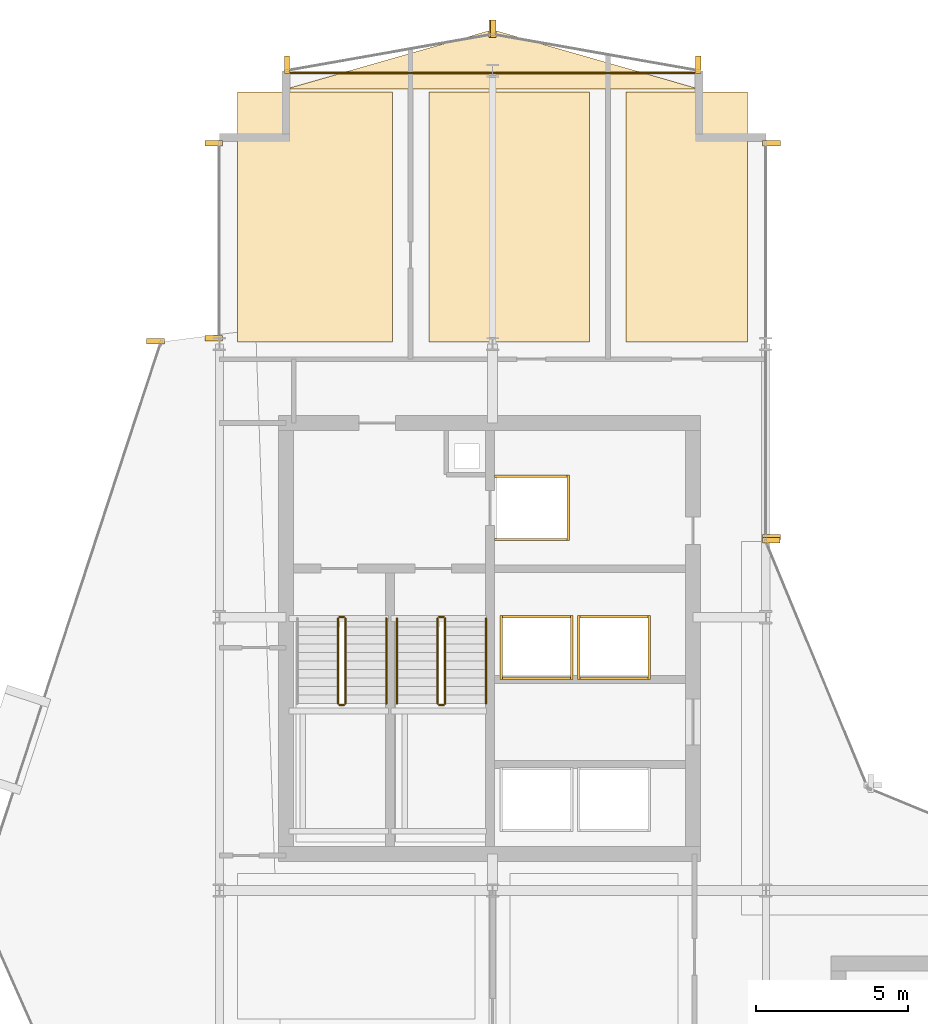
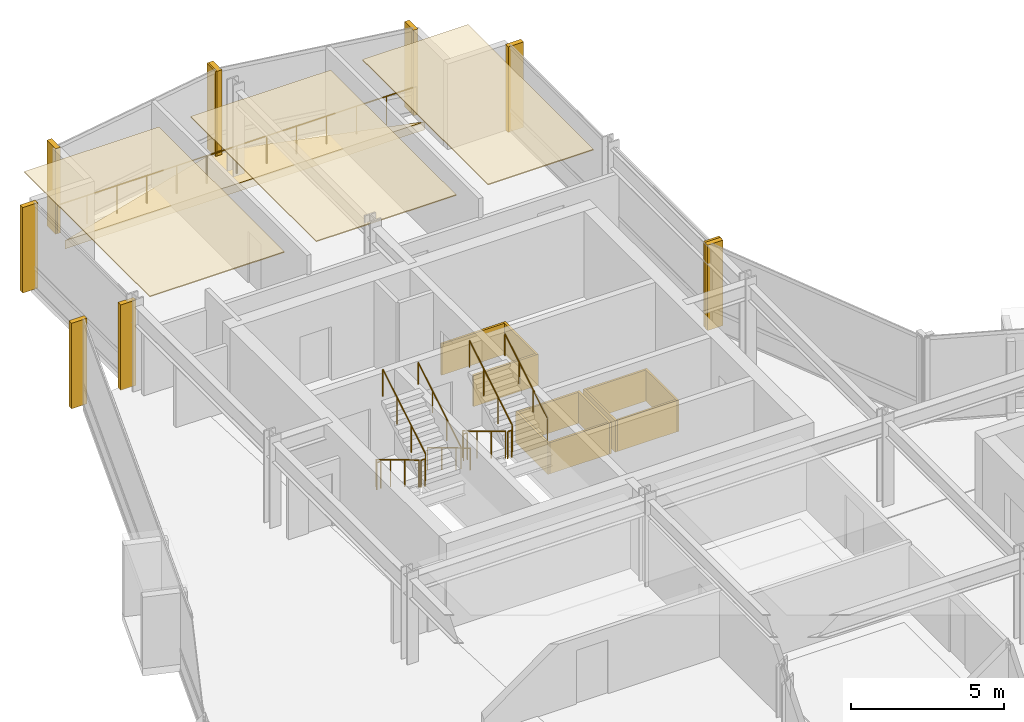
# One storey, part 29 of 29: 25 coverings, 12 railings.
"""IFC4 building model written with IfcOpenShell, lengths in metres."""

import ifcopenshell
import ifcopenshell.guid

model = None  # the IFC model being written
_history = None  # IfcOwnerHistory: only IFC2X3 demands one
_inside = {}  # id of a spatial element -> (the spatial element, [elements in it])
_under = {}  # id of a project, library or spatial element -> (it, [spatial elements below it])
_declared = {}  # id of a project -> (the project, [libraries it declares])
_typed = {}  # id of a type object -> (the type object, [elements of that type])
_made_of = {}  # id of a material, layer set ... -> (it, [elements and type objects made of it])


def new_model(schema):
    """Start an empty IFC model of exactly this schema.

    Asked for "IFC4X3", IfcOpenShell would pick the latest addendum, in which some entities
    have other attributes; the version numbers below select the first issue.
    IFC2X3 requires an IfcOwnerHistory on every rooted entity: one is made here for all.
    """
    global model, _history
    if schema == "IFC4X3":
        model = ifcopenshell.file(schema_version=(4, 3, 0, 0))
    else:
        model = ifcopenshell.file(schema=schema)
    _inside.clear()
    _under.clear()
    _declared.clear()
    _typed.clear()
    _made_of.clear()
    _history = None
    if model.schema == "IFC2X3":
        org = make("IfcOrganization", Name="unknown")
        user = make(
            "IfcPersonAndOrganization",
            ThePerson=make("IfcPerson", FamilyName="unknown"),
            TheOrganization=org,
        )
        app = make(
            "IfcApplication",
            ApplicationDeveloper=org,
            Version="unknown",
            ApplicationFullName="unknown",
            ApplicationIdentifier="unknown",
        )
        _history = make(
            "IfcOwnerHistory",
            OwningUser=user,
            OwningApplication=app,
            ChangeAction="ADDED",
            CreationDate=0,
        )
    return model


def make(cls, **values):
    """One entity of the class cls with the attributes given. An attribute that is None is left unset."""
    return model.create_entity(
        cls, **{name: value for name, value in values.items() if value is not None}
    )


def rooted(cls, **values):
    """An entity with a GlobalId (a new one), such as an element, a storey or a relation."""
    return make(cls, GlobalId=ifcopenshell.guid.new(), OwnerHistory=_history, **values)


def si_unit(unit_type, name, prefix=None):
    """IfcSIUnit, for example si_unit("LENGTHUNIT", "METRE", prefix="MILLI")."""
    return make("IfcSIUnit", UnitType=unit_type, Prefix=prefix, Name=name)


def assignment(units):
    """IfcUnitAssignment: the units of a project."""
    return None if units is None else make("IfcUnitAssignment", Units=units)


def point(xyz):
    """IfcCartesianPoint."""
    return None if xyz is None else make("IfcCartesianPoint", Coordinates=xyz)


def direction(xyz):
    """IfcDirection."""
    return None if xyz is None else make("IfcDirection", DirectionRatios=xyz)


def frame(location, z_axis=None, x_axis=None):
    """IfcAxis2Placement3D, a coordinate frame: its origin and axes. An axis left out is left unset."""
    return make(
        "IfcAxis2Placement3D",
        Location=point(location),
        Axis=direction(z_axis),
        RefDirection=direction(x_axis),
    )


def frame_2d(location, x_axis=None):
    """IfcAxis2Placement2D, a coordinate frame in the plane: its origin and x axis."""
    return make(
        "IfcAxis2Placement2D", Location=point(location), RefDirection=direction(x_axis)
    )


def origin():
    """The frame at (0, 0, 0) with its axes left unset."""
    return frame((0.0, 0.0, 0.0))


def origin_2d():
    """The frame at (0, 0) in the plane with its x axis left unset."""
    return frame_2d((0.0, 0.0))


def place(relative_to, where):
    """IfcLocalPlacement: puts the frame where relative to a parent placement (None: the world)."""
    return make(
        "IfcLocalPlacement", PlacementRelTo=relative_to, RelativePlacement=where
    )


def context(
    kind, dimensions, precision=None, world=None, true_north=None, identifier=None
):
    """IfcGeometricRepresentationContext, for example the 3D "Model" context."""
    return make(
        "IfcGeometricRepresentationContext",
        ContextIdentifier=identifier,
        ContextType=kind,
        CoordinateSpaceDimension=dimensions,
        Precision=precision,
        WorldCoordinateSystem=world,
        TrueNorth=true_north,
    )


def subcontext(parent, identifier, kind, view, scale=None):
    """IfcGeometricRepresentationSubContext, for example "Body" below "Model"."""
    return make(
        "IfcGeometricRepresentationSubContext",
        ContextIdentifier=identifier,
        ContextType=kind,
        ParentContext=parent,
        TargetScale=scale,
        TargetView=view,
    )


def project(units=None, contexts=None):
    """IfcProject with its units and contexts."""
    return rooted(
        "IfcProject",
        Name="project",
        RepresentationContexts=contexts,
        UnitsInContext=assignment(units),
    )


def spatial(cls, under=None, at=None, **own):
    """A site, building, storey or space (cls), placed at a placement, below another one or the project."""
    s = rooted(cls, ObjectPlacement=at, **own)
    if under is not None:
        _under.setdefault(under.id(), (under, []))[1].append(s)
    return s


def polyline(points):
    """IfcPolyline through the points."""
    return make("IfcPolyline", Points=[point(p) for p in points])


def profile(cls, at=None, kind="AREA", **sizes):
    """A parametric profile (cls). Its sizes go by their IFC names, for example OverallWidth=200.0."""
    return make(cls, ProfileType=kind, Position=at, **sizes)


def rectangle(**sizes):
    """IfcRectangleProfileDef."""
    return profile("IfcRectangleProfileDef", **sizes)


def circle(**sizes):
    """IfcCircleProfileDef."""
    return profile("IfcCircleProfileDef", **sizes)


def outline(outer, holes=None, kind="AREA"):
    """IfcArbitraryClosedProfileDef: a profile drawn as a closed curve; with holes, ...WithVoids."""
    if holes is None:
        return make("IfcArbitraryClosedProfileDef", ProfileType=kind, OuterCurve=outer)
    return make(
        "IfcArbitraryProfileDefWithVoids",
        ProfileType=kind,
        OuterCurve=outer,
        InnerCurves=holes,
    )


def extrude(swept, where, along, depth):
    """IfcExtrudedAreaSolid: the profile swept, set in the frame where, extruded along a direction by depth."""
    return make(
        "IfcExtrudedAreaSolid",
        SweptArea=swept,
        Position=where,
        ExtrudedDirection=direction(along),
        Depth=depth,
    )


def shape(context_of_items, identifier, shape_type, items):
    """IfcShapeRepresentation: the items that make up one representation, for example the "Body"."""
    return make(
        "IfcShapeRepresentation",
        ContextOfItems=context_of_items,
        RepresentationIdentifier=identifier,
        RepresentationType=shape_type,
        Items=items,
    )


def material(Name=None, Category=None):
    """IfcMaterial."""
    return make("IfcMaterial", Name=Name, Category=Category)


def layer(
    of_material, thickness, ventilated=None, Name=None, Category=None, Priority=None
):
    """IfcMaterialLayer: one layer of a wall or slab, of a material (None: an air gap)."""
    return make(
        "IfcMaterialLayer",
        Material=of_material,
        LayerThickness=thickness,
        IsVentilated=ventilated,
        Name=Name,
        Category=Category,
        Priority=Priority,
    )


def layer_set(layers, Name=None):
    """IfcMaterialLayerSet."""
    return make("IfcMaterialLayerSet", MaterialLayers=layers, LayerSetName=Name)


def made_of(thing, what):
    """Note that an element or type object is made of a material, layer set ...; save() writes the relation."""
    if what is not None:
        _made_of.setdefault(what.id(), (what, []))[1].append(thing)
    return thing


def type_object(cls, material=None, **own):
    """A type object (cls), such as IfcWallType, which elements share."""
    return made_of(rooted(cls, **own), material)


def element(
    cls,
    number,
    at=None,
    inside=None,
    cuts=None,
    type_object=None,
    material=None,
    context=None,
    identifier="Body",
    shape_type=None,
    held_by="IfcProductDefinitionShape",
    body=None,
    shapes=None,
    **own,
):
    """One element of the class cls, such as IfcWall. Its Tag is "e" and its number.

    at: its placement. inside: the storey or other place that contains it. cuts: it is an
    opening in that element (IfcRelVoidsElement). A single representation is given by context,
    identifier, shape_type and body (its items); several are given by shapes. held_by: the class
    of the entity that holds the representations. save() writes the other relations.
    """
    e = rooted(cls, Tag="e%d" % number, ObjectPlacement=at, **own)
    if body is not None:
        shapes = [shape(context, identifier, shape_type, body)]
    if shapes is not None:
        e.Representation = make(held_by, Representations=shapes)
    if inside is not None:
        _inside.setdefault(inside.id(), (inside, []))[1].append(e)
    if cuts is not None:
        rooted(
            "IfcRelVoidsElement", RelatingBuildingElement=cuts, RelatedOpeningElement=e
        )
    if type_object is not None:
        _typed.setdefault(type_object.id(), (type_object, []))[1].append(e)
    return made_of(e, material)


def aggregate(whole, parts):
    """IfcRelAggregates: a whole, such as a stair, and the parts it consists of."""
    return rooted("IfcRelAggregates", RelatingObject=whole, RelatedObjects=parts)


def save(model, path):
    """Write the relations noted so far, then the file.

    IfcRelAggregates (storeys below a building ...), IfcRelContainedInSpatialStructure (elements
    in a storey), IfcRelDefinesByType, IfcRelAssociatesMaterial and IfcRelDeclares: one each for
    every whole, place, type object, material and project.
    """
    for whole, parts in _under.values():
        aggregate(whole, parts)
    for where, things in _inside.values():
        rooted(
            "IfcRelContainedInSpatialStructure",
            RelatedElements=things,
            RelatingStructure=where,
        )
    for kind, things in _typed.values():
        rooted("IfcRelDefinesByType", RelatedObjects=things, RelatingType=kind)
    for what, things in _made_of.values():
        rooted("IfcRelAssociatesMaterial", RelatedObjects=things, RelatingMaterial=what)
    for by, libraries in _declared.values():
        rooted("IfcRelDeclares", RelatingContext=by, RelatedDefinitions=libraries)
    model.write(path)


model = new_model("IFC4")

# Units and contexts
model_context = context("Model", 3, precision=1e-05, world=origin(), true_north=direction((0.0, 1.0)))
body_context = subcontext(model_context, "Body", "Model", "MODEL_VIEW")
ifc_project = project(units=[si_unit("LENGTHUNIT", "METRE"), si_unit("AREAUNIT", "SQUARE_METRE"), si_unit("VOLUMEUNIT", "CUBIC_METRE"), si_unit("PLANEANGLEUNIT", "RADIAN"), si_unit("MASSUNIT", "GRAM", prefix="KILO")], contexts=[model_context])

# Site, building, storey
site_placement = place(None, origin())
site = spatial("IfcSite", under=ifc_project, at=site_placement, CompositionType="ELEMENT")
building_placement = place(site_placement, origin())
building = spatial("IfcBuilding", under=site, at=building_placement, Name="Solvaryn Broadcast Tower", CompositionType="ELEMENT")
storey_placement = place(building_placement, frame((0.0, 0.0, 161.800048828125)))
storey = spatial("IfcBuildingStorey", under=building, at=storey_placement, Name="L40", CompositionType="ELEMENT", Elevation=161.800048828125)

# Coverings
ifc_material_1 = material(Name="Micro-Perforated Acoustic Gypsum Ceiling", Category="concrete")
ifc_layer_1 = layer(ifc_material_1, 0.0400390625)
ifc_layer_set_1 = layer_set([ifc_layer_1], Name="CV-CEIL-ACOUSTIC")
covering_type_1 = type_object("IfcCoveringType", Name="CV-CEIL-ACOUSTIC", PredefinedType="CEILING", material=ifc_layer_set_1)
covering_1_placement = place(storey_placement, frame((0.0, 0.0, 3.3798828125)))
element("IfcCovering", 1, at=covering_1_placement, inside=storey, type_object=covering_type_1, Name="L40 Room Acoustic Ceiling 8", PredefinedType="CEILING", context=body_context, shape_type="SweptSolid", body=[
    extrude(outline(polyline([(9.60009765625, 45.070068359375), (14.699951171875, 45.070068359375), (14.699951171875, 53.300048828125), (9.60009765625, 53.300048828125), (9.60009765625, 45.070068359375)])), origin(), (0.0, 0.0, 1.0), 0.0400390625),
])
covering_2_placement = place(storey_placement, frame((0.0, 0.0, 3.3798828125)))
element("IfcCovering", 2, at=covering_2_placement, inside=storey, type_object=covering_type_1, Name="L40 Room Acoustic Ceiling 9", PredefinedType="CEILING", context=body_context, shape_type="SweptSolid", body=[
    extrude(outline(polyline([(15.89990234375, 45.070068359375), (21.199951171875, 45.070068359375), (21.199951171875, 53.300048828125), (15.89990234375, 53.300048828125), (15.89990234375, 45.070068359375)])), origin(), (0.0, 0.0, 1.0), 0.0400390625),
])
covering_3_placement = place(storey_placement, frame((0.0, 0.0, 3.3798828125)))
element("IfcCovering", 3, at=covering_3_placement, inside=storey, type_object=covering_type_1, Name="L40 Room Acoustic Ceiling 10", PredefinedType="CEILING", context=body_context, shape_type="SweptSolid", body=[
    extrude(outline(polyline([(22.39990234375, 45.070068359375), (26.39990234375, 45.070068359375), (26.39990234375, 53.300048828125), (22.39990234375, 53.300048828125), (22.39990234375, 45.070068359375)])), origin(), (0.0, 0.0, 1.0), 0.0400390625),
])
ifc_material_2 = material(Name="Fire-Rated Gypsum Shaftwall Liner", Category="concrete")
ifc_layer_2 = layer(ifc_material_2, 0.080078125)
ifc_layer_set_2 = layer_set([ifc_layer_2], Name="CV-SHAFT-LINER")
covering_type_2 = type_object("IfcCoveringType", Name="CV-SHAFT-LINER", PredefinedType="CLADDING", material=ifc_layer_set_2)
for number, where, z_axis, x_axis, name in (
    (4, (19.300048828125, 40.639892578125, 0.0), (0.0, 0.0, 1.0), (1.0, 0.0, 0.0), "L40 FL1 Hoistway Shaft Liner North"),
    (5, (19.300048828125, 38.56005859375, 0.0), (0.0, 0.0, 1.0), (1.0, 0.0, 0.0), "L40 FL1 Hoistway Shaft Liner South"),
):
    element("IfcCovering", number, at=place(storey_placement, frame(where, z_axis=z_axis, x_axis=x_axis)), inside=storey, type_object=covering_type_2, Name=name, PredefinedType="CLADDING", context=body_context, shape_type="SweptSolid", body=[
        extrude(rectangle(XDim=2.4599609375, YDim=0.080078125, at=origin_2d()), origin(), (0.0, 0.0, 1.0), 1.25),
    ])
covering_4_placement = place(storey_placement, frame((20.489990234375, 39.60009765625, 0.0), z_axis=(0.0, 0.0, 1.0), x_axis=(1.0, 0.0, 0.0)))
element("IfcCovering", 6, at=covering_4_placement, inside=storey, type_object=covering_type_2, Name="L40 FL1 Hoistway Shaft Liner East", PredefinedType="CLADDING", context=body_context, shape_type="SweptSolid", body=[
    extrude(rectangle(XDim=0.080078125, YDim=2.159912109375, at=origin_2d()), origin(), (0.0, 0.0, 1.0), 1.25),
])
for number, where, z_axis, x_axis, name in (
    (7, (19.449951171875, 36.014892578125, 0.0), (0.0, 0.0, 1.0), (1.0, 0.0, 0.0), "L40 PH3 Hoistway Shaft Liner North"),
    (8, (19.449951171875, 33.985107421875, 0.0), (0.0, 0.0, 1.0), (1.0, 0.0, 0.0), "L40 PH3 Hoistway Shaft Liner South"),
):
    element("IfcCovering", number, at=place(storey_placement, frame(where, z_axis=z_axis, x_axis=x_axis)), inside=storey, type_object=covering_type_2, Name=name, PredefinedType="CLADDING", context=body_context, shape_type="SweptSolid", body=[
        extrude(rectangle(XDim=2.409912109375, YDim=0.080078125, at=origin_2d()), origin(), (0.0, 0.0, 1.0), 1.25),
    ])
for number, where, z_axis, x_axis, name in (
    (9, (20.614990234375, 35.0, 0.0), (0.0, 0.0, 1.0), (1.0, 0.0, 0.0), "L40 PH3 Hoistway Shaft Liner East"),
    (10, (18.284912109375, 35.0, 0.0), (0.0, 0.0, 1.0), (1.0, 0.0, 0.0), "L40 PH3 Hoistway Shaft Liner West"),
):
    element("IfcCovering", number, at=place(storey_placement, frame(where, z_axis=z_axis, x_axis=x_axis)), inside=storey, type_object=covering_type_2, Name=name, PredefinedType="CLADDING", context=body_context, shape_type="SweptSolid", body=[
        extrude(rectangle(XDim=0.080078125, YDim=2.110107421875, at=origin_2d()), origin(), (0.0, 0.0, 1.0), 1.25),
    ])
for number, where, z_axis, x_axis, name in (
    (11, (22.0, 36.014892578125, 0.0), (0.0, 0.0, 1.0), (1.0, 0.0, 0.0), "L40 PH4 Hoistway Shaft Liner North"),
    (12, (22.0, 33.985107421875, 0.0), (0.0, 0.0, 1.0), (1.0, 0.0, 0.0), "L40 PH4 Hoistway Shaft Liner South"),
):
    element("IfcCovering", number, at=place(storey_placement, frame(where, z_axis=z_axis, x_axis=x_axis)), inside=storey, type_object=covering_type_2, Name=name, PredefinedType="CLADDING", context=body_context, shape_type="SweptSolid", body=[
        extrude(rectangle(XDim=2.409912109375, YDim=0.080078125, at=origin_2d()), origin(), (0.0, 0.0, 1.0), 1.25),
    ])
for number, where, z_axis, x_axis, name in (
    (13, (23.1650390625, 35.0, 0.0), (0.0, 0.0, 1.0), (1.0, 0.0, 0.0), "L40 PH4 Hoistway Shaft Liner East"),
    (14, (20.8349609375, 35.0, 0.0), (0.0, 0.0, 1.0), (1.0, 0.0, 0.0), "L40 PH4 Hoistway Shaft Liner West"),
):
    element("IfcCovering", number, at=place(storey_placement, frame(where, z_axis=z_axis, x_axis=x_axis)), inside=storey, type_object=covering_type_2, Name=name, PredefinedType="CLADDING", context=body_context, shape_type="SweptSolid", body=[
        extrude(rectangle(XDim=0.080078125, YDim=2.110107421875, at=origin_2d()), origin(), (0.0, 0.0, 1.0), 1.25),
    ])
ifc_material_3 = material(Name="Extruded Architectural Terracotta Fin", Category="masonry")
ifc_layer_3 = layer(ifc_material_3, 0.179931640625)
ifc_layer_set_3 = layer_set([ifc_layer_3], Name="CV-TC-FIN")
covering_type_3 = type_object("IfcCoveringType", Name="CV-TC-FIN", PredefinedType="USERDEFINED", material=ifc_layer_set_3)
for number, where, z_axis, x_axis, name in (
    (15, (6.898681640625, 45.0947265625, 0.0), (0.0, 0.0, 1.0), (1.0, 0.0, 0.0), "L40 Terracotta Vertical Fin FIN-L40-DR1-M00"),
    (16, (8.8125, 45.197021484375, 0.0), (0.0, 0.0, 1.0), (1.0, 0.0, 0.0), "L40 Terracotta Vertical Fin FIN-L40-W2-M00"),
    (17, (8.8125, 51.6201171875, 0.0), (0.0, 0.0, 1.0), (1.0, 0.0, 0.0), "L40 Terracotta Vertical Fin FIN-L40-W2-M01"),
    (18, (27.1875, 51.6201171875, 0.0), (0.0, 0.0, 1.0), (1.0, 0.0, 0.0), "L40 Terracotta Vertical Fin FIN-L40-IV-M00"),
    (19, (27.1875, 38.6298828125, 0.0), (0.0, 0.0, 1.0), (1.0, 0.0, 0.0), "L40 Terracotta Vertical Fin FIN-L40-IV-M01"),
    (20, (27.177978515625, 38.541259765625, 0.0), (0.0, 0.0, 1.0), (1.0, 0.0, 0.0), "L40 Terracotta Vertical Fin FIN-L40-CN2-M01"),
):
    element("IfcCovering", number, at=place(storey_placement, frame(where, z_axis=z_axis, x_axis=x_axis)), inside=storey, type_object=covering_type_3, Name=name, ObjectType="FIN", PredefinedType="USERDEFINED", context=body_context, shape_type="SweptSolid", body=[
        extrude(rectangle(XDim=0.580078125, YDim=0.179931640625, at=origin_2d()), origin(), (0.0, 0.0, 1.0), 3.419921875),
    ])
for number, where, z_axis, x_axis, name in (
    (21, (24.7705078125, 54.192626953125, 0.0), (0.0, 0.0, 1.0), (1.0, 0.0, 0.0), "L40 Terracotta Vertical Fin FIN-L40-NT1-M00"),
    (22, (18.029541015625, 55.38232421875, 0.0), (0.0, 0.0, 1.0), (1.0, 0.0, 0.0), "L40 Terracotta Vertical Fin FIN-L40-NT1-M01"),
    (23, (17.970458984375, 55.38232421875, 0.0), (0.0, 0.0, 1.0), (1.0, 0.0, 0.0), "L40 Terracotta Vertical Fin FIN-L40-NT2-M00"),
    (24, (11.2294921875, 54.192626953125, 0.0), (0.0, 0.0, 1.0), (1.0, 0.0, 0.0), "L40 Terracotta Vertical Fin FIN-L40-NT2-M01"),
):
    element("IfcCovering", number, at=place(storey_placement, frame(where, z_axis=z_axis, x_axis=x_axis)), inside=storey, type_object=covering_type_3, Name=name, ObjectType="FIN", PredefinedType="USERDEFINED", context=body_context, shape_type="SweptSolid", body=[
        extrude(rectangle(XDim=0.179931640625, YDim=0.580078125, at=origin_2d()), origin(), (0.0, 0.0, 1.0), 3.419921875),
    ])
ifc_material_4 = material(Name="Sculpted Architectural Terracotta Wave Fascia", Category="masonry")
ifc_layer_4 = layer(ifc_material_4, 0.340087890625)
ifc_layer_set_4 = layer_set([ifc_layer_4], Name="CV-WAVE-TRAY")
covering_type_4 = type_object("IfcCoveringType", Name="CV-WAVE-TRAY", PredefinedType="CLADDING", material=ifc_layer_set_4)
covering_5_placement = place(storey_placement, frame((0.0, 0.0, -0.300048828125)))
element("IfcCovering", 25, at=covering_5_placement, inside=storey, type_object=covering_type_4, Name="L40 North Curved Wing Deck", PredefinedType="CLADDING", context=body_context, shape_type="SweptSolid", body=[
    extrude(outline(polyline([(11.199951171875, 53.39990234375), (24.800048828125, 53.39990234375), (18.0, 55.35009765625), (11.199951171875, 53.39990234375)])), origin(), (0.0, 0.0, 1.0), 0.330078125),
])

# Railings
ifc_material_5 = material(Name="Painted Steel Stair Well Guard", Category="steel")
railing_type_1 = type_object("IfcRailingType", Name="RL-STAIR-GUARD", PredefinedType="BALUSTRADE", material=ifc_material_5)
railing_1_placement = place(storey_placement, frame((12.909912109375, 35.9599609375, 0.168212890625)))
element("IfcRailing", 26, at=railing_1_placement, inside=storey, type_object=railing_type_1, Name="L40 ST1 stair guard 1", PredefinedType="BALUSTRADE", context=body_context, shape_type="SweptSolid", body=[
    extrude(circle(Radius=0.02392578125, at=origin_2d()), frame((0.0, 0.0, 1.076171875), z_axis=(0.0, -0.857275202839, 0.514858452973), x_axis=(1.0, 0.0, 0.0)), (0.0, 0.0, 1.0), 3.26611328125),
    extrude(circle(Radius=0.02099609375, at=origin_2d()), origin(), (0.0, 0.0, 1.0), 1.052001953125),
    extrude(circle(Radius=0.02099609375, at=origin_2d()), frame((0.0, -0.933349609375, 0.560546875)), (0.0, 0.0, 1.0), 1.052001953125),
    extrude(circle(Radius=0.02099609375, at=origin_2d()), frame((0.0, -1.86669921875, 1.12109375)), (0.0, 0.0, 1.0), 1.052001953125),
    extrude(circle(Radius=0.02099609375, at=origin_2d()), frame((0.0, -2.800048828125, 1.681640625)), (0.0, 0.0, 1.0), 1.052001953125),
])
railing_2_placement = place(storey_placement, frame((12.9599609375, 33.110107421875, 1.849853515625)))
element("IfcRailing", 27, at=railing_2_placement, inside=storey, type_object=railing_type_1, Name="L40 ST1 stair guard 2", PredefinedType="BALUSTRADE", context=body_context, shape_type="SweptSolid", body=[
    extrude(circle(Radius=0.02392578125, at=origin_2d()), frame((0.0, 0.0, 1.076171875), z_axis=(1.0, 0.0, 0.0), x_axis=(0.0, 1.0, 0.0)), (0.0, 0.0, 1.0), 0.150146484375),
    extrude(circle(Radius=0.02099609375, at=origin_2d()), origin(), (0.0, 0.0, 1.0), 1.052001953125),
    extrude(circle(Radius=0.02099609375, at=origin_2d()), frame((0.150146484375, 0.0, 0.0)), (0.0, 0.0, 1.0), 1.052001953125),
])
railing_3_placement = place(storey_placement, frame((13.159912109375, 33.159912109375, 2.01806640625)))
element("IfcRailing", 28, at=railing_3_placement, inside=storey, type_object=railing_type_1, Name="L40 ST1 stair guard 3", PredefinedType="BALUSTRADE", context=body_context, shape_type="SweptSolid", body=[
    extrude(circle(Radius=0.02392578125, at=origin_2d()), frame((0.0, 0.0, 1.076171875), z_axis=(0.0, 0.857242210791, 0.514913383045), x_axis=(-1.0, 0.0, 0.0)), (0.0, 0.0, 1.0), 3.266357421875),
    extrude(circle(Radius=0.02099609375, at=origin_2d()), origin(), (0.0, 0.0, 1.0), 1.052001953125),
    extrude(circle(Radius=0.02099609375, at=origin_2d()), frame((0.0, 0.933349609375, 0.560546875)), (0.0, 0.0, 1.0), 1.052001953125),
    extrude(circle(Radius=0.02099609375, at=origin_2d()), frame((0.0, 1.86669921875, 1.121337890625)), (0.0, 0.0, 1.0), 1.052001953125),
    extrude(circle(Radius=0.02099609375, at=origin_2d()), frame((0.0, 2.800048828125, 1.681884765625)), (0.0, 0.0, 1.0), 1.052001953125),
])
railing_4_placement = place(storey_placement, frame((12.9599609375, 36.010009765625, 0.0)))
element("IfcRailing", 29, at=railing_4_placement, inside=storey, type_object=railing_type_1, Name="L40 ST1 stair guard 4", PredefinedType="BALUSTRADE", context=body_context, shape_type="SweptSolid", body=[
    extrude(circle(Radius=0.02392578125, at=origin_2d()), frame((0.0, 0.0, 1.076171875), z_axis=(1.0, 0.0, 0.0), x_axis=(0.0, 1.0, 0.0)), (0.0, 0.0, 1.0), 0.150146484375),
    extrude(circle(Radius=0.02099609375, at=origin_2d()), origin(), (0.0, 0.0, 1.0), 1.052001953125),
    extrude(circle(Radius=0.02099609375, at=origin_2d()), frame((0.150146484375, 0.0, 0.0)), (0.0, 0.0, 1.0), 1.052001953125),
])
railing_5_placement = place(storey_placement, frame((16.18994140625, 35.9599609375, 0.168212890625)))
element("IfcRailing", 30, at=railing_5_placement, inside=storey, type_object=railing_type_1, Name="L40 ST2 stair guard 1", PredefinedType="BALUSTRADE", context=body_context, shape_type="SweptSolid", body=[
    extrude(circle(Radius=0.02392578125, at=origin_2d()), frame((0.0, 0.0, 1.076171875), z_axis=(0.0, -0.857275202839, 0.514858452973), x_axis=(1.0, 0.0, 0.0)), (0.0, 0.0, 1.0), 3.26611328125),
    extrude(circle(Radius=0.02099609375, at=origin_2d()), origin(), (0.0, 0.0, 1.0), 1.052001953125),
    extrude(circle(Radius=0.02099609375, at=origin_2d()), frame((0.0, -0.933349609375, 0.560546875)), (0.0, 0.0, 1.0), 1.052001953125),
    extrude(circle(Radius=0.02099609375, at=origin_2d()), frame((0.0, -1.86669921875, 1.12109375)), (0.0, 0.0, 1.0), 1.052001953125),
    extrude(circle(Radius=0.02099609375, at=origin_2d()), frame((0.0, -2.800048828125, 1.681640625)), (0.0, 0.0, 1.0), 1.052001953125),
])
railing_6_placement = place(storey_placement, frame((16.239990234375, 33.110107421875, 1.849853515625)))
element("IfcRailing", 31, at=railing_6_placement, inside=storey, type_object=railing_type_1, Name="L40 ST2 stair guard 2", PredefinedType="BALUSTRADE", context=body_context, shape_type="SweptSolid", body=[
    extrude(circle(Radius=0.02392578125, at=origin_2d()), frame((0.0, 0.0, 1.076171875), z_axis=(1.0, 0.0, 0.0), x_axis=(0.0, 1.0, 0.0)), (0.0, 0.0, 1.0), 0.14990234375),
    extrude(circle(Radius=0.02099609375, at=origin_2d()), origin(), (0.0, 0.0, 1.0), 1.052001953125),
    extrude(circle(Radius=0.02099609375, at=origin_2d()), frame((0.14990234375, 0.0, 0.0)), (0.0, 0.0, 1.0), 1.052001953125),
])
railing_7_placement = place(storey_placement, frame((16.43994140625, 33.159912109375, 2.01806640625)))
element("IfcRailing", 32, at=railing_7_placement, inside=storey, type_object=railing_type_1, Name="L40 ST2 stair guard 3", PredefinedType="BALUSTRADE", context=body_context, shape_type="SweptSolid", body=[
    extrude(circle(Radius=0.02392578125, at=origin_2d()), frame((0.0, 0.0, 1.076171875), z_axis=(0.0, 0.857242210791, 0.514913383045), x_axis=(-1.0, 0.0, 0.0)), (0.0, 0.0, 1.0), 3.266357421875),
    extrude(circle(Radius=0.02099609375, at=origin_2d()), origin(), (0.0, 0.0, 1.0), 1.052001953125),
    extrude(circle(Radius=0.02099609375, at=origin_2d()), frame((0.0, 0.933349609375, 0.560546875)), (0.0, 0.0, 1.0), 1.052001953125),
    extrude(circle(Radius=0.02099609375, at=origin_2d()), frame((0.0, 1.86669921875, 1.121337890625)), (0.0, 0.0, 1.0), 1.052001953125),
    extrude(circle(Radius=0.02099609375, at=origin_2d()), frame((0.0, 2.800048828125, 1.681884765625)), (0.0, 0.0, 1.0), 1.052001953125),
])
railing_8_placement = place(storey_placement, frame((16.239990234375, 36.010009765625, 0.0)))
element("IfcRailing", 33, at=railing_8_placement, inside=storey, type_object=railing_type_1, Name="L40 ST2 stair guard 4", PredefinedType="BALUSTRADE", context=body_context, shape_type="SweptSolid", body=[
    extrude(circle(Radius=0.02392578125, at=origin_2d()), frame((0.0, 0.0, 1.076171875), z_axis=(1.0, 0.0, 0.0), x_axis=(0.0, 1.0, 0.0)), (0.0, 0.0, 1.0), 0.14990234375),
    extrude(circle(Radius=0.02099609375, at=origin_2d()), origin(), (0.0, 0.0, 1.0), 1.052001953125),
    extrude(circle(Radius=0.02099609375, at=origin_2d()), frame((0.14990234375, 0.0, 0.0)), (0.0, 0.0, 1.0), 1.052001953125),
])
ifc_material_6 = material(Name="Brushed Stainless Steel Tubular Handrail", Category="steel")
railing_type_2 = type_object("IfcRailingType", Name="RL-STAIR-HANDRAIL", PredefinedType="HANDRAIL", material=ifc_material_6)
railing_9_placement = place(storey_placement, frame((14.5, 33.159912109375, 2.01806640625)))
element("IfcRailing", 34, at=railing_9_placement, inside=storey, type_object=railing_type_2, Name="L40 ST1 stair handrail 2", PredefinedType="HANDRAIL", context=body_context, shape_type="SweptSolid", body=[
    extrude(circle(Radius=0.02392578125, at=origin_2d()), frame((0.0, 0.0, 0.8759765625), z_axis=(0.0, 0.857242210791, 0.514913383045), x_axis=(-1.0, 0.0, 0.0)), (0.0, 0.0, 1.0), 3.266357421875),
    extrude(circle(Radius=0.02099609375, at=origin_2d()), origin(), (0.0, 0.0, 1.0), 0.851806640625),
    extrude(circle(Radius=0.02099609375, at=origin_2d()), frame((0.0, 0.933349609375, 0.560546875)), (0.0, 0.0, 1.0), 0.851806640625),
    extrude(circle(Radius=0.02099609375, at=origin_2d()), frame((0.0, 1.86669921875, 1.121337890625)), (0.0, 0.0, 1.0), 0.851806640625),
    extrude(circle(Radius=0.02099609375, at=origin_2d()), frame((0.0, 2.800048828125, 1.681884765625)), (0.0, 0.0, 1.0), 0.851806640625),
])
railing_10_placement = place(storey_placement, frame((14.85009765625, 35.9599609375, 0.168212890625)))
element("IfcRailing", 35, at=railing_10_placement, inside=storey, type_object=railing_type_2, Name="L40 ST2 stair handrail 1", PredefinedType="HANDRAIL", context=body_context, shape_type="SweptSolid", body=[
    extrude(circle(Radius=0.02392578125, at=origin_2d()), frame((0.0, 0.0, 0.8759765625), z_axis=(0.0, -0.857275202839, 0.514858452973), x_axis=(1.0, 0.0, 0.0)), (0.0, 0.0, 1.0), 3.26611328125),
    extrude(circle(Radius=0.02099609375, at=origin_2d()), origin(), (0.0, 0.0, 1.0), 0.851806640625),
    extrude(circle(Radius=0.02099609375, at=origin_2d()), frame((0.0, -0.933349609375, 0.560546875)), (0.0, 0.0, 1.0), 0.851806640625),
    extrude(circle(Radius=0.02099609375, at=origin_2d()), frame((0.0, -1.86669921875, 1.12109375)), (0.0, 0.0, 1.0), 0.851806640625),
    extrude(circle(Radius=0.02099609375, at=origin_2d()), frame((0.0, -2.800048828125, 1.681640625)), (0.0, 0.0, 1.0), 0.851806640625),
])
railing_11_placement = place(storey_placement, frame((17.780029296875, 33.159912109375, 2.01806640625)))
element("IfcRailing", 36, at=railing_11_placement, inside=storey, type_object=railing_type_2, Name="L40 ST2 stair handrail 2", PredefinedType="HANDRAIL", context=body_context, shape_type="SweptSolid", body=[
    extrude(circle(Radius=0.02392578125, at=origin_2d()), frame((0.0, 0.0, 0.8759765625), z_axis=(0.0, 0.857242210791, 0.514913383045), x_axis=(-1.0, 0.0, 0.0)), (0.0, 0.0, 1.0), 3.266357421875),
    extrude(circle(Radius=0.02099609375, at=origin_2d()), origin(), (0.0, 0.0, 1.0), 0.851806640625),
    extrude(circle(Radius=0.02099609375, at=origin_2d()), frame((0.0, 0.933349609375, 0.560546875)), (0.0, 0.0, 1.0), 0.851806640625),
    extrude(circle(Radius=0.02099609375, at=origin_2d()), frame((0.0, 1.86669921875, 1.121337890625)), (0.0, 0.0, 1.0), 0.851806640625),
    extrude(circle(Radius=0.02099609375, at=origin_2d()), frame((0.0, 2.800048828125, 1.681884765625)), (0.0, 0.0, 1.0), 0.851806640625),
])
ifc_material_7 = material(Name="Stainless Steel and Laminated Glass Guard", Category="steel")
railing_type_3 = type_object("IfcRailingType", Name="RL-TER-1150", PredefinedType="BALUSTRADE", material=ifc_material_7)
railing_12_placement = place(storey_placement, frame((11.199951171875, 53.919921875, 0.0)))
element("IfcRailing", 37, at=railing_12_placement, inside=storey, type_object=railing_type_3, Name="L40 North Wing Spandrel Edge Guard", PredefinedType="BALUSTRADE", context=body_context, shape_type="SweptSolid", body=[
    extrude(circle(Radius=0.02392578125, at=origin_2d()), frame((0.0, 0.0, 1.1259765625), z_axis=(1.0, 0.0, 0.0), x_axis=(0.0, 1.0, 0.0)), (0.0, 0.0, 1.0), 13.60009765625),
    extrude(circle(Radius=0.02099609375, at=origin_2d()), origin(), (0.0, 0.0, 1.0), 1.101806640625),
    extrude(circle(Radius=0.02099609375, at=origin_2d()), frame((1.13330078125, 0.0, 0.0)), (0.0, 0.0, 1.0), 1.101806640625),
    extrude(circle(Radius=0.02099609375, at=origin_2d()), frame((2.2666015625, 0.0, 0.0)), (0.0, 0.0, 1.0), 1.101806640625),
    extrude(circle(Radius=0.02099609375, at=origin_2d()), frame((3.39990234375, 0.0, 0.0)), (0.0, 0.0, 1.0), 1.101806640625),
    extrude(circle(Radius=0.02099609375, at=origin_2d()), frame((4.533447265625, 0.0, 0.0)), (0.0, 0.0, 1.0), 1.101806640625),
    extrude(circle(Radius=0.02099609375, at=origin_2d()), frame((5.666748046875, 0.0, 0.0)), (0.0, 0.0, 1.0), 1.101806640625),
    extrude(circle(Radius=0.02099609375, at=origin_2d()), frame((6.800048828125, 0.0, 0.0)), (0.0, 0.0, 1.0), 1.101806640625),
    extrude(circle(Radius=0.02099609375, at=origin_2d()), frame((7.933349609375, 0.0, 0.0)), (0.0, 0.0, 1.0), 1.101806640625),
    extrude(circle(Radius=0.02099609375, at=origin_2d()), frame((9.066650390625, 0.0, 0.0)), (0.0, 0.0, 1.0), 1.101806640625),
    extrude(circle(Radius=0.02099609375, at=origin_2d()), frame((10.2001953125, 0.0, 0.0)), (0.0, 0.0, 1.0), 1.101806640625),
    extrude(circle(Radius=0.02099609375, at=origin_2d()), frame((11.33349609375, 0.0, 0.0)), (0.0, 0.0, 1.0), 1.101806640625),
    extrude(circle(Radius=0.02099609375, at=origin_2d()), frame((12.466796875, 0.0, 0.0)), (0.0, 0.0, 1.0), 1.101806640625),
    extrude(circle(Radius=0.02099609375, at=origin_2d()), frame((13.60009765625, 0.0, 0.0)), (0.0, 0.0, 1.0), 1.101806640625),
])

save(model, "model.ifc")
